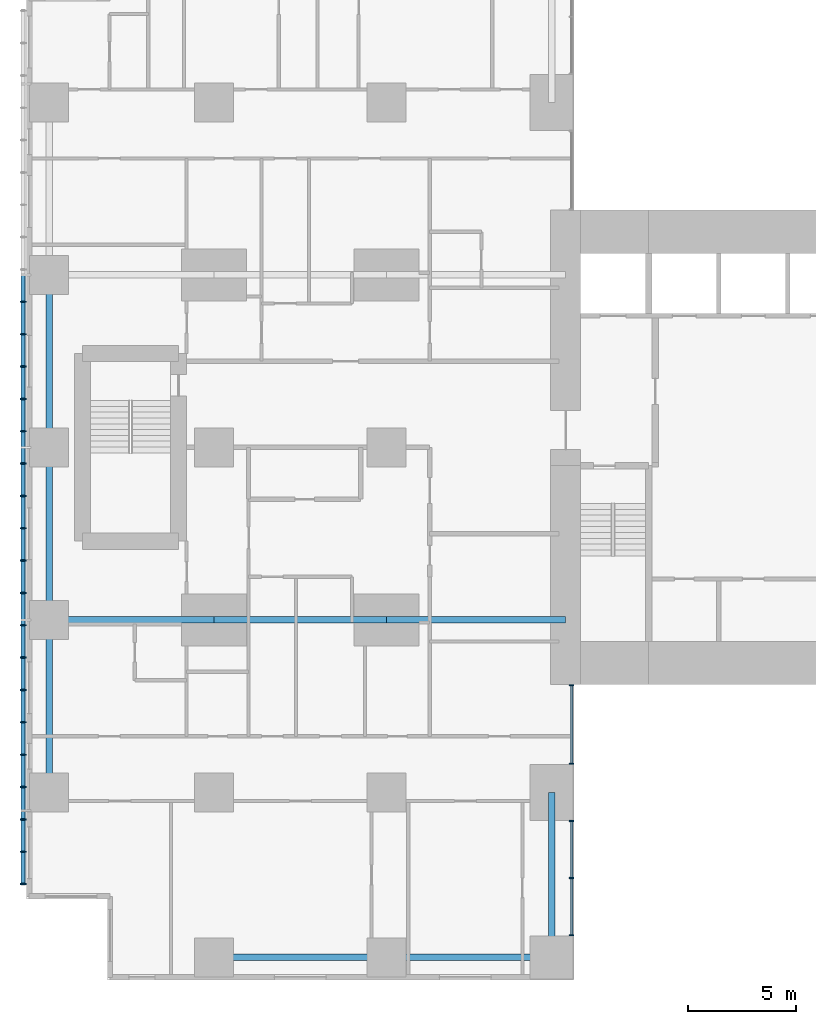
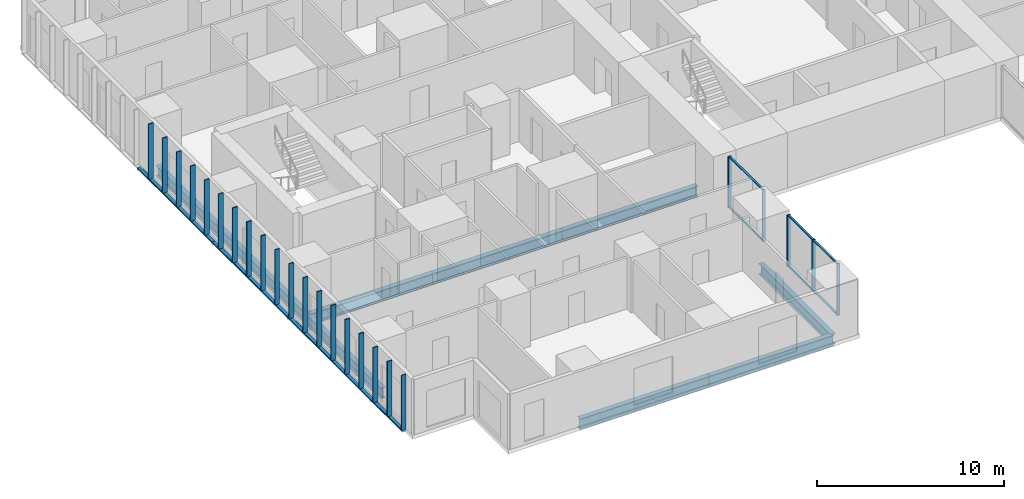
# One storey, part 2 of 20: 33 members, 9 beams, 2 elements without a shape of their own.
"""IFC4 building model written with IfcOpenShell, lengths in metres."""

from ifc_helpers import new_model, si_unit, direction, frame, origin, origin_2d, place, context, subcontext, project, spatial, rectangle, hollow_rectangle, i_section, extrude, material, layer, layer_set, material_profile, profile_set, type_object, element, aggregate, save


model = new_model("IFC4")

# Units and contexts
model_context = context("Model", 3, precision=1e-05, world=origin(), true_north=direction((0.0, 1.0)))
body_context = subcontext(model_context, "Body", "Model", "MODEL_VIEW")
ifc_project = project(units=[si_unit("LENGTHUNIT", "METRE"), si_unit("AREAUNIT", "SQUARE_METRE"), si_unit("VOLUMEUNIT", "CUBIC_METRE"), si_unit("PLANEANGLEUNIT", "RADIAN"), si_unit("MASSUNIT", "GRAM", prefix="KILO")], contexts=[model_context])

# Site, building, storey
site_placement = place(None, origin())
site = spatial("IfcSite", under=ifc_project, at=site_placement, CompositionType="ELEMENT")
building_placement = place(site_placement, origin())
building = spatial("IfcBuilding", under=site, at=building_placement, Name="Cleftline Residences", CompositionType="ELEMENT")
storey_placement = place(building_placement, frame((0.0, 0.0, 214.60009765625)))
storey = spatial("IfcBuildingStorey", under=building, at=storey_placement, Name="L56", CompositionType="ELEMENT", Elevation=214.60009765625)

# Members
ifc_material_1 = material(Name="Steel S355, hot-dip galvanised", Category="steel")
ifc_material_profile_1 = material_profile(ifc_material_1, hollow_rectangle(XDim=0.10009765625, YDim=0.199951171875, WallThickness=0.008056640625, InnerFilletRadius=0.008056640625, OuterFilletRadius=0.011962890625, at=origin_2d()))
ifc_profile_set_1 = profile_set([ifc_material_profile_1], Name="Steel S355, hot-dip galvanised")
member_type_1 = type_object("IfcMemberType", Name="BAGUETTE CARRIER RHS 200X100X8", PredefinedType="USERDEFINED", material=ifc_profile_set_1)
for number, where, z_axis, x_axis, name in (
    (1, (-0.85009765625, 32.0, -0.050048828125), (0.0, -1.0, 0.0), (0.0, 0.0, 1.0), "Baguette carrier"),
    (2, (-0.85009765625, 24.0, -0.050048828125), (0.0, -1.0, 0.0), (0.0, 0.0, 1.0), "Baguette carrier"),
):
    element("IfcMember", number, at=place(storey_placement, frame(where, z_axis=z_axis, x_axis=x_axis)), inside=storey, type_object=member_type_1, Name=name, ObjectType="BAGUETTE CARRIER", PredefinedType="USERDEFINED", context=body_context, shape_type="SweptSolid", body=[
        extrude(hollow_rectangle(XDim=0.10009765625, YDim=0.199951171875, WallThickness=0.008056640625, InnerFilletRadius=0.008056640625, OuterFilletRadius=0.011962890625, at=origin_2d()), origin(), (0.0, 0.0, 1.0), 8.0),
    ])
member_1_placement = place(storey_placement, frame((-0.85009765625, 16.0, -0.050048828125), z_axis=(0.0, -1.0, 0.0), x_axis=(0.0, 0.0, 1.0)))
element("IfcMember", 3, at=member_1_placement, inside=storey, type_object=member_type_1, Name="Baguette carrier", ObjectType="BAGUETTE CARRIER", PredefinedType="USERDEFINED", context=body_context, shape_type="SweptSolid", body=[
    extrude(hollow_rectangle(XDim=0.10009765625, YDim=0.199951171875, WallThickness=0.008056640625, InnerFilletRadius=0.008056640625, OuterFilletRadius=0.011962890625, at=origin_2d()), origin(), (0.0, 0.0, 1.0), 12.300048828125),
])

# Beams
ifc_material_2 = material(Name="Steel S355", Category="steel")
ifc_material_profile_2 = material_profile(ifc_material_2, i_section(OverallWidth=0.300048828125, OverallDepth=0.699951171875, WebThickness=0.01708984375, FlangeThickness=0.031982421875, FilletRadius=0.027099609375, at=origin_2d()))
ifc_profile_set_2 = profile_set([ifc_material_profile_2], Name="Steel S355")
beam_type_1 = type_object("IfcBeamType", Name="BEAM HEB 700", PredefinedType="BEAM", material=ifc_profile_set_2)
for number, where, z_axis, x_axis, name in (
    (4, (0.35009765625, 8.0, -0.60009765625), (0.0, 1.0, 0.0), (-1.0, 0.0, 0.0), "Edge beam"),
    (5, (0.35009765625, 16.0, -0.60009765625), (0.0, 1.0, 0.0), (-1.0, 0.0, 0.0), "Edge beam"),
    (6, (0.35009765625, 24.0, -0.60009765625), (0.0, 1.0, 0.0), (-1.0, 0.0, 0.0), "Edge beam"),
    (7, (8.0, 0.35009765625, -0.60009765625), (1.0, 0.0, 0.0), (0.0, 1.0, 0.0), "Edge beam"),
):
    element("IfcBeam", number, at=place(storey_placement, frame(where, z_axis=z_axis, x_axis=x_axis)), inside=storey, type_object=beam_type_1, Name=name, PredefinedType="BEAM", context=body_context, shape_type="SweptSolid", body=[
        extrude(i_section(OverallWidth=0.300048828125, OverallDepth=0.699951171875, WebThickness=0.01708984375, FlangeThickness=0.031982421875, FilletRadius=0.027099609375, at=origin_2d()), origin(), (0.0, 0.0, 1.0), 8.0),
    ])
for number, where, z_axis, x_axis, name in (
    (8, (16.0, 0.35009765625, -0.60009765625), (1.0, 0.0, 0.0), (0.0, 1.0, 0.0), "Edge beam"),
    (9, (23.64990234375, 0.35009765625, -0.60009765625), (0.0, 1.0, 0.0), (-1.0, 0.0, 0.0), "Edge beam"),
):
    element("IfcBeam", number, at=place(storey_placement, frame(where, z_axis=z_axis, x_axis=x_axis)), inside=storey, type_object=beam_type_1, Name=name, PredefinedType="BEAM", context=body_context, shape_type="SweptSolid", body=[
        extrude(i_section(OverallWidth=0.300048828125, OverallDepth=0.699951171875, WebThickness=0.01708984375, FlangeThickness=0.031982421875, FilletRadius=0.027099609375, at=origin_2d()), origin(), (0.0, 0.0, 1.0), 7.64990234375),
    ])
ifc_material_3 = material(Name="Steel S355", Category="steel")
ifc_material_profile_3 = material_profile(ifc_material_3, i_section(OverallWidth=0.303955078125, OverallDepth=0.716064453125, WebThickness=0.02099609375, FlangeThickness=0.0400390625, FilletRadius=0.027099609375, at=origin_2d()))
ifc_profile_set_3 = profile_set([ifc_material_profile_3], Name="Steel S355")
beam_type_2 = type_object("IfcBeamType", Name="BEAM HEM 700", PredefinedType="BEAM", material=ifc_profile_set_3)
beam_1_placement = place(storey_placement, frame((0.35009765625, 16.0, -0.608154296875), z_axis=(1.0, 0.0, 0.0), x_axis=(0.0, 1.0, 0.0)))
element("IfcBeam", 10, at=beam_1_placement, inside=storey, type_object=beam_type_2, Name="Band beam", PredefinedType="BEAM", context=body_context, shape_type="SweptSolid", body=[
    extrude(i_section(OverallWidth=0.303955078125, OverallDepth=0.716064453125, WebThickness=0.02099609375, FlangeThickness=0.0400390625, FilletRadius=0.027099609375, at=origin_2d()), origin(), (0.0, 0.0, 1.0), 7.64990234375),
])
beam_2_placement = place(storey_placement, frame((8.0, 16.0, -0.608154296875), z_axis=(1.0, 0.0, 0.0), x_axis=(0.0, 1.0, 0.0)))
element("IfcBeam", 11, at=beam_2_placement, inside=storey, type_object=beam_type_2, Name="Band beam", PredefinedType="BEAM", context=body_context, shape_type="SweptSolid", body=[
    extrude(i_section(OverallWidth=0.303955078125, OverallDepth=0.716064453125, WebThickness=0.02099609375, FlangeThickness=0.0400390625, FilletRadius=0.027099609375, at=origin_2d()), origin(), (0.0, 0.0, 1.0), 8.0),
])
beam_3_placement = place(storey_placement, frame((16.0, 16.0, -0.608154296875), z_axis=(1.0, 0.0, 0.0), x_axis=(0.0, 1.0, 0.0)))
element("IfcBeam", 12, at=beam_3_placement, inside=storey, type_object=beam_type_2, Name="Band beam", PredefinedType="BEAM", context=body_context, shape_type="SweptSolid", body=[
    extrude(i_section(OverallWidth=0.303955078125, OverallDepth=0.716064453125, WebThickness=0.02099609375, FlangeThickness=0.0400390625, FilletRadius=0.027099609375, at=origin_2d()), origin(), (0.0, 0.0, 1.0), 8.300048828125),
])

# Curtain wall, members
ifc_material_4 = material(Name="Aluminium framed curtain wall", Category="aluminium")
ifc_layer = layer(ifc_material_4, 0.199951171875)
ifc_layer_set = layer_set([ifc_layer], Name="CW1 CLEFT GLAZING")
curtain_wall_type = type_object("IfcCurtainWallType", Name="CW1 CLEFT GLAZING", PredefinedType="NOTDEFINED", material=ifc_layer_set)
curtain_wall_1_placement = place(storey_placement, origin())
curtain_wall_1 = element("IfcCurtainWall", 13, at=curtain_wall_1_placement, inside=storey, type_object=curtain_wall_type, Name="Curtain wall CW1", PredefinedType="NOTDEFINED")
ifc_material_5 = material(Name="Aluminium mullion", Category="aluminium")
ifc_material_profile_4 = material_profile(ifc_material_5, rectangle(XDim=0.199951171875, YDim=0.06005859375, at=origin_2d()))
ifc_profile_set_4 = profile_set([ifc_material_profile_4], Name="Aluminium mullion")
member_type_2 = type_object("IfcMemberType", Name="CW1 MULLION", PredefinedType="MULLION", material=ifc_profile_set_4)
member_2_placement = place(storey_placement, frame((24.574951171875, 1.3798828125, 0.0), z_axis=(0.0, 0.0, 1.0), x_axis=(-1.0, 0.0, 0.0)))
member_2 = element("IfcMember", 14, at=member_2_placement, type_object=member_type_2, Name="CW1 mullion 1", PredefinedType="MULLION", context=body_context, shape_type="SweptSolid", body=[
    extrude(rectangle(XDim=0.199951171875, YDim=0.06005859375, at=origin_2d()), origin(), (0.0, 0.0, 1.0), 3.349853515625),
])
member_3_placement = place(storey_placement, frame((24.574951171875, 4.02490234375, 0.0), z_axis=(0.0, 0.0, 1.0), x_axis=(-1.0, 0.0, 0.0)))
member_3 = element("IfcMember", 15, at=member_3_placement, type_object=member_type_2, Name="CW1 mullion 2", PredefinedType="MULLION", context=body_context, shape_type="SweptSolid", body=[
    extrude(rectangle(XDim=0.199951171875, YDim=0.06005859375, at=origin_2d()), origin(), (0.0, 0.0, 1.0), 3.349853515625),
])
member_4_placement = place(storey_placement, frame((24.574951171875, 6.669921875, 0.0), z_axis=(0.0, 0.0, 1.0), x_axis=(-1.0, 0.0, 0.0)))
member_4 = element("IfcMember", 16, at=member_4_placement, type_object=member_type_2, Name="CW1 mullion 3", PredefinedType="MULLION", context=body_context, shape_type="SweptSolid", body=[
    extrude(rectangle(XDim=0.199951171875, YDim=0.06005859375, at=origin_2d()), origin(), (0.0, 0.0, 1.0), 3.349853515625),
])

curtain_wall_2_placement = place(storey_placement, origin())
curtain_wall_2 = element("IfcCurtainWall", 17, at=curtain_wall_2_placement, inside=storey, type_object=curtain_wall_type, Name="Curtain wall CW1", PredefinedType="NOTDEFINED")
member_5_placement = place(storey_placement, frame((24.574951171875, 9.330078125, 0.0), z_axis=(0.0, 0.0, 1.0), x_axis=(-1.0, 0.0, 0.0)))
member_5 = element("IfcMember", 18, at=member_5_placement, type_object=member_type_2, Name="CW1 mullion 1", PredefinedType="MULLION", context=body_context, shape_type="SweptSolid", body=[
    extrude(rectangle(XDim=0.199951171875, YDim=0.06005859375, at=origin_2d()), origin(), (0.0, 0.0, 1.0), 3.349853515625),
])
member_6_placement = place(storey_placement, frame((24.574951171875, 12.969970703125, 0.0), z_axis=(0.0, 0.0, 1.0), x_axis=(-1.0, 0.0, 0.0)))
member_6 = element("IfcMember", 19, at=member_6_placement, type_object=member_type_2, Name="CW1 mullion 2", PredefinedType="MULLION", context=body_context, shape_type="SweptSolid", body=[
    extrude(rectangle(XDim=0.199951171875, YDim=0.06005859375, at=origin_2d()), origin(), (0.0, 0.0, 1.0), 3.349853515625),
])

# Member
ifc_material_6 = material(Name="Aluminium transom", Category="aluminium")
ifc_material_profile_5 = material_profile(ifc_material_6, rectangle(XDim=0.1201171875, YDim=0.06005859375, at=origin_2d()))
ifc_profile_set_5 = profile_set([ifc_material_profile_5], Name="Aluminium transom")
member_type_3 = type_object("IfcMemberType", Name="CW1 TRANSOM", PredefinedType="USERDEFINED", material=ifc_profile_set_5)
member_7_placement = place(storey_placement, frame((24.574951171875, 1.409912109375, 0.02978515625), z_axis=(0.0, 1.0, 0.0), x_axis=(-1.0, 0.0, 0.0)))
member_7 = element("IfcMember", 20, at=member_7_placement, type_object=member_type_3, Name="CW1 transom 1.1", ObjectType="TRANSOM", PredefinedType="USERDEFINED", context=body_context, shape_type="SweptSolid", body=[
    extrude(rectangle(XDim=0.1201171875, YDim=0.06005859375, at=origin_2d()), origin(), (0.0, 0.0, 1.0), 2.585205078125),
])

member_8_placement = place(storey_placement, frame((24.574951171875, 1.409912109375, 3.31982421875), z_axis=(0.0, 1.0, 0.0), x_axis=(-1.0, 0.0, 0.0)))
member_8 = element("IfcMember", 21, at=member_8_placement, type_object=member_type_3, Name="CW1 transom 1.2", ObjectType="TRANSOM", PredefinedType="USERDEFINED", context=body_context, shape_type="SweptSolid", body=[
    extrude(rectangle(XDim=0.1201171875, YDim=0.06005859375, at=origin_2d()), origin(), (0.0, 0.0, 1.0), 2.585205078125),
])

member_9_placement = place(storey_placement, frame((24.574951171875, 4.054931640625, 0.02978515625), z_axis=(0.0, 1.0, 0.0), x_axis=(-1.0, 0.0, 0.0)))
member_9 = element("IfcMember", 22, at=member_9_placement, type_object=member_type_3, Name="CW1 transom 2.1", ObjectType="TRANSOM", PredefinedType="USERDEFINED", context=body_context, shape_type="SweptSolid", body=[
    extrude(rectangle(XDim=0.1201171875, YDim=0.06005859375, at=origin_2d()), origin(), (0.0, 0.0, 1.0), 2.5849609375),
])

member_10_placement = place(storey_placement, frame((24.574951171875, 4.054931640625, 3.31982421875), z_axis=(0.0, 1.0, 0.0), x_axis=(-1.0, 0.0, 0.0)))
member_10 = element("IfcMember", 23, at=member_10_placement, type_object=member_type_3, Name="CW1 transom 2.2", ObjectType="TRANSOM", PredefinedType="USERDEFINED", context=body_context, shape_type="SweptSolid", body=[
    extrude(rectangle(XDim=0.1201171875, YDim=0.06005859375, at=origin_2d()), origin(), (0.0, 0.0, 1.0), 2.5849609375),
])

aggregate(curtain_wall_1, [member_2, member_3, member_4, member_7, member_8, member_9, member_10])

member_11_placement = place(storey_placement, frame((24.574951171875, 9.360107421875, 0.02978515625), z_axis=(0.0, 1.0, 0.0), x_axis=(-1.0, 0.0, 0.0)))
member_11 = element("IfcMember", 24, at=member_11_placement, type_object=member_type_3, Name="CW1 transom 1.1", ObjectType="TRANSOM", PredefinedType="USERDEFINED", context=body_context, shape_type="SweptSolid", body=[
    extrude(rectangle(XDim=0.1201171875, YDim=0.06005859375, at=origin_2d()), origin(), (0.0, 0.0, 1.0), 3.579833984375),
])

member_12_placement = place(storey_placement, frame((24.574951171875, 9.360107421875, 3.31982421875), z_axis=(0.0, 1.0, 0.0), x_axis=(-1.0, 0.0, 0.0)))
member_12 = element("IfcMember", 25, at=member_12_placement, type_object=member_type_3, Name="CW1 transom 1.2", ObjectType="TRANSOM", PredefinedType="USERDEFINED", context=body_context, shape_type="SweptSolid", body=[
    extrude(rectangle(XDim=0.1201171875, YDim=0.06005859375, at=origin_2d()), origin(), (0.0, 0.0, 1.0), 3.579833984375),
])

aggregate(curtain_wall_2, [member_5, member_6, member_11, member_12])

# Members
ifc_material_7 = material(Name="Extruded terracotta", Category="masonry")
ifc_material_profile_6 = material_profile(ifc_material_7, rectangle(XDim=0.06005859375, YDim=0.300048828125, at=origin_2d()))
ifc_profile_set_6 = profile_set([ifc_material_profile_6], Name="Extruded terracotta")
member_type_4 = type_object("IfcMemberType", Name="TERRACOTTA BAGUETTE 60X300", PredefinedType="USERDEFINED", material=ifc_profile_set_6)
for number, where, z_axis, x_axis, name in (
    (26, (-0.85009765625, 30.75, 0.0), (0.0, 0.0, 1.0), (0.0, 1.0, 0.0), "Terracotta baguette"),
    (27, (-0.85009765625, 29.25, 0.0), (0.0, 0.0, 1.0), (0.0, 1.0, 0.0), "Terracotta baguette"),
    (28, (-0.85009765625, 27.75, 0.0), (0.0, 0.0, 1.0), (0.0, 1.0, 0.0), "Terracotta baguette"),
    (29, (-0.85009765625, 26.25, 0.0), (0.0, 0.0, 1.0), (0.0, 1.0, 0.0), "Terracotta baguette"),
    (30, (-0.85009765625, 24.75, 0.0), (0.0, 0.0, 1.0), (0.0, 1.0, 0.0), "Terracotta baguette"),
    (31, (-0.85009765625, 23.25, 0.0), (0.0, 0.0, 1.0), (0.0, 1.0, 0.0), "Terracotta baguette"),
    (32, (-0.85009765625, 21.75, 0.0), (0.0, 0.0, 1.0), (0.0, 1.0, 0.0), "Terracotta baguette"),
    (33, (-0.85009765625, 20.25, 0.0), (0.0, 0.0, 1.0), (0.0, 1.0, 0.0), "Terracotta baguette"),
    (34, (-0.85009765625, 18.75, 0.0), (0.0, 0.0, 1.0), (0.0, 1.0, 0.0), "Terracotta baguette"),
    (35, (-0.85009765625, 17.25, 0.0), (0.0, 0.0, 1.0), (0.0, 1.0, 0.0), "Terracotta baguette"),
    (36, (-0.85009765625, 15.75, 0.0), (0.0, 0.0, 1.0), (0.0, 1.0, 0.0), "Terracotta baguette"),
    (37, (-0.85009765625, 14.25, 0.0), (0.0, 0.0, 1.0), (0.0, 1.0, 0.0), "Terracotta baguette"),
    (38, (-0.85009765625, 12.75, 0.0), (0.0, 0.0, 1.0), (0.0, 1.0, 0.0), "Terracotta baguette"),
    (39, (-0.85009765625, 11.25, 0.0), (0.0, 0.0, 1.0), (0.0, 1.0, 0.0), "Terracotta baguette"),
    (40, (-0.85009765625, 9.75, 0.0), (0.0, 0.0, 1.0), (0.0, 1.0, 0.0), "Terracotta baguette"),
    (41, (-0.85009765625, 8.25, 0.0), (0.0, 0.0, 1.0), (0.0, 1.0, 0.0), "Terracotta baguette"),
    (42, (-0.85009765625, 6.75, 0.0), (0.0, 0.0, 1.0), (0.0, 1.0, 0.0), "Terracotta baguette"),
    (43, (-0.85009765625, 5.25, 0.0), (0.0, 0.0, 1.0), (0.0, 1.0, 0.0), "Terracotta baguette"),
    (44, (-0.85009765625, 3.75, 0.0), (0.0, 0.0, 1.0), (0.0, 1.0, 0.0), "Terracotta baguette"),
):
    element("IfcMember", number, at=place(storey_placement, frame(where, z_axis=z_axis, x_axis=x_axis)), inside=storey, type_object=member_type_4, Name=name, ObjectType="BAGUETTE", PredefinedType="USERDEFINED", context=body_context, shape_type="SweptSolid", body=[
        extrude(rectangle(XDim=0.06005859375, YDim=0.300048828125, at=origin_2d()), origin(), (0.0, 0.0, 1.0), 3.599853515625),
    ])

save(model, "model.ifc")
